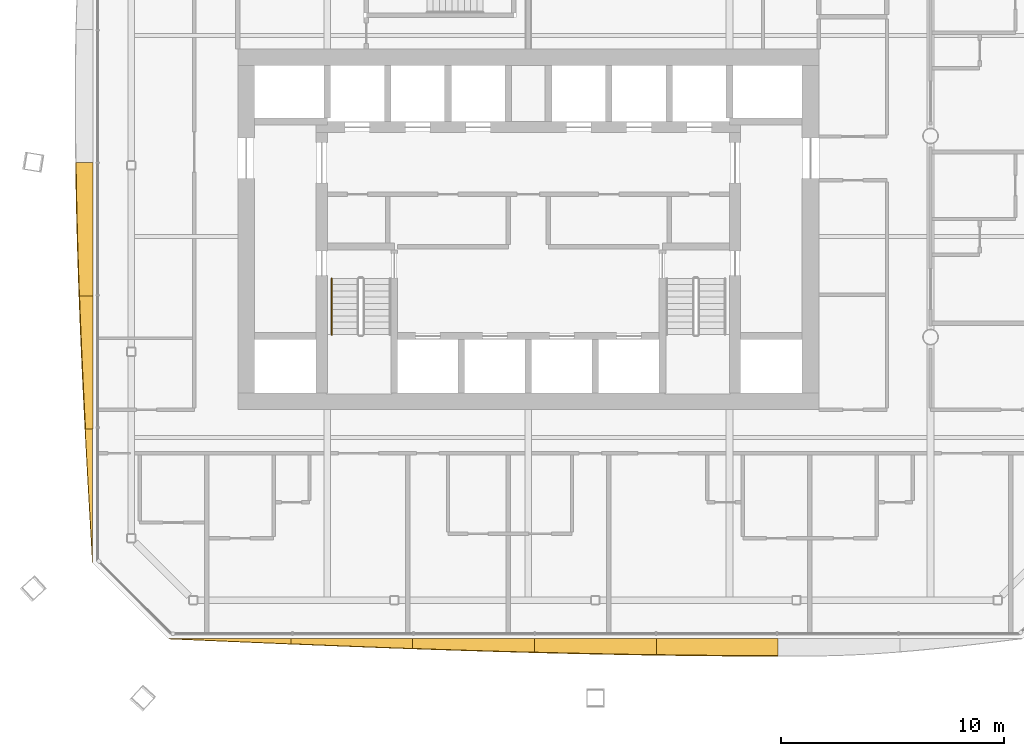
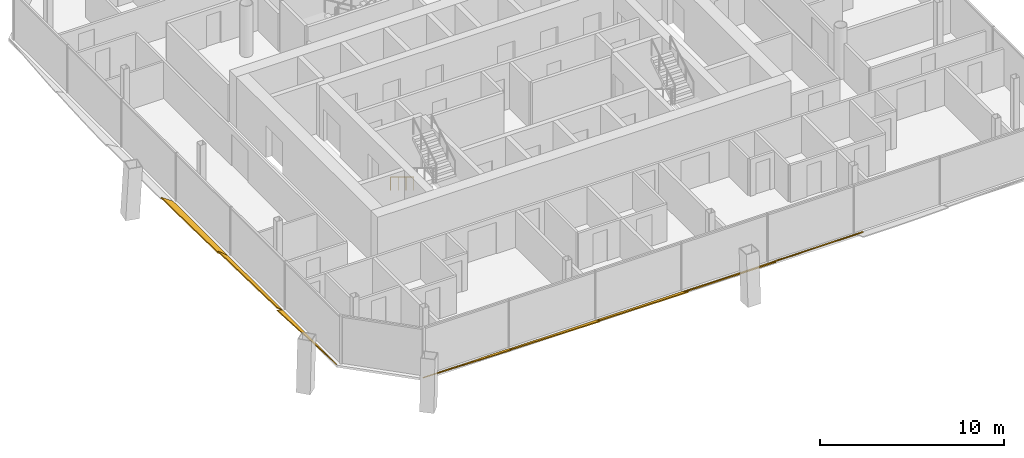
# One storey, part 16 of 18: 8 shading devices, 1 railing.
"""IFC4 building model written with IfcOpenShell, lengths in metres."""

from ifc_helpers import new_model, si_unit, direction, frame, origin, origin_2d, place, context, subcontext, project, spatial, polyline, circle, outline, extrude, material, layer, layer_set, type_object, element, save


model = new_model("IFC4")

# Units and contexts
model_context = context("Model", 3, precision=1e-05, world=origin(), true_north=direction((0.0, 1.0)))
body_context = subcontext(model_context, "Body", "Model", "MODEL_VIEW")
ifc_project = project(units=[si_unit("LENGTHUNIT", "METRE"), si_unit("AREAUNIT", "SQUARE_METRE"), si_unit("VOLUMEUNIT", "CUBIC_METRE"), si_unit("PLANEANGLEUNIT", "RADIAN"), si_unit("MASSUNIT", "GRAM", prefix="KILO")], contexts=[model_context])

# Site, building, storey
site_placement = place(None, origin())
site = spatial("IfcSite", under=ifc_project, at=site_placement, CompositionType="ELEMENT")
building_placement = place(site_placement, origin())
building = spatial("IfcBuilding", under=site, at=building_placement, Name="Tskaro Facet Tower", CompositionType="ELEMENT")
storey_placement = place(building_placement, frame((0.0, 0.0, 145.300048828125)))
storey = spatial("IfcBuildingStorey", under=building, at=storey_placement, Name="L35", CompositionType="ELEMENT", Elevation=145.300048828125)

# Shading devices
ifc_material_1 = material(Name="Bronze anodised aluminium 6063-T6", Category="aluminium")
ifc_layer = layer(ifc_material_1, 0.06005859375, Name="Bronze anodised aluminium 6063-T6")
ifc_layer_set = layer_set([ifc_layer], Name="Bronze anodised aluminium 6063-T6")
shading_device_type = type_object("IfcShadingDeviceType", Name="Bronze sun blade (FN1)", PredefinedType="USERDEFINED", material=ifc_layer_set)
shading_device_1_placement = place(storey_placement, frame((-16.0869140625, -22.50146484375, 0.056396484375), z_axis=(-9.42873e-06, 0.341389080388, 0.939922068952), x_axis=(0.999999999956, 3.218865e-06, 8.862271e-06)))
element("IfcShadingDevice", 1, at=shading_device_1_placement, inside=storey, type_object=shading_device_type, Name="Fin blade south 1", ObjectType="FIN", PredefinedType="USERDEFINED", context=body_context, shape_type="SweptSolid", body=[
    extrude(outline(polyline([(0.0, 0.0), (5.453369140382596, 0.0), (5.453369140867455, -0.24729649206580565), (4.77172851618413, -0.2171770337210285), (4.09008789012302, -0.18674475527141804), (3.4082031242227773, -0.1560830036604322), (2.726562499733379, -0.12519177888807098), (2.0449218738661963, -0.09398773401087644), (1.3632812509485097, -0.06263756291576444), (0.681640625081327, -0.03143351803856992), (0.0, 0.0)])), origin(), (0.0, 0.0, -1.0), 0.06005859375),
])
shading_device_2_placement = place(storey_placement, frame((-10.633544921875, -22.49658203125, 0.054443359375), z_axis=(-1.5297233e-05, 0.422407541223, 0.906406017679), x_axis=(0.999999999883, 6.461667e-06, 1.3865504e-05)))
element("IfcShadingDevice", 2, at=shading_device_2_placement, inside=storey, type_object=shading_device_type, Name="Fin blade south 2", ObjectType="FIN", PredefinedType="USERDEFINED", context=body_context, shape_type="SweptSolid", body=[
    extrude(outline(polyline([(0.0, 0.0), (5.4533691399869415, -4.619183335649245e-21), (5.453369140776432, -0.48943333051084237), (4.771728514510475, -0.46245731580911714), (4.09008788959205, -0.4347143026712038), (3.408447266021159, -0.40620429109710243), (2.7268066406426907, -0.3773698621501844), (2.0449218759867844, -0.3477684347670783), (1.3632812501482712, -0.31784259001115556), (0.681640624079736, -0.2873710373507304), (-2.218821122234412e-09, -0.25635377678580296), (0.0, 0.0)])), origin(), (0.0, 0.0, -1.0), 0.06005859375),
])
shading_device_3_placement = place(storey_placement, frame((-5.18017578125, -22.491943359375, 0.052001953125), z_axis=(7.787894e-06, 0.499880562239, 0.866094350192), x_axis=(0.99999999997, -3.893017e-06, -6.745051e-06)))
element("IfcShadingDevice", 3, at=shading_device_3_placement, inside=storey, type_object=shading_device_type, Name="Fin blade south 3", ObjectType="FIN", PredefinedType="USERDEFINED", context=body_context, shape_type="SweptSolid", body=[
    extrude(outline(polyline([(0.0, 0.0), (5.453369140459623, 0.0), (5.4533691407077445, -0.7092089749860528), (4.7717285143045665, -0.6878910953977868), (4.090087889990281, -0.6655727459029247), (3.4084472651677027, -0.642164518838389), (2.726806640787276, -0.6178778630201512), (2.045166016849, -0.5927127784482114), (1.3632812501306986, -0.566579857459492), (0.6816406254299844, -0.539779956533042), (-4.75319688647714e-10, -0.5122236680057839), (0.0, 0.0)])), origin(), (0.0, 0.0, -1.0), 0.06005859375),
])
shading_device_4_placement = place(storey_placement, frame((0.273193359375, -22.487548828125, 0.049072265625), z_axis=(2.658798e-06, 0.573625937896, 0.819117380701), x_axis=(0.999999999996, -1.525155e-06, -2.177867e-06)))
element("IfcShadingDevice", 4, at=shading_device_4_placement, inside=storey, type_object=shading_device_type, Name="Fin blade south 4", ObjectType="FIN", PredefinedType="USERDEFINED", context=body_context, shape_type="SweptSolid", body=[
    extrude(outline(polyline([(0.0, 0.0), (5.453613281230724, 1.1548475327005958e-21), (5.453613281277855, -0.8899746911439232), (4.771728515754644, -0.8768341714110635), (4.090087890589787, -0.862273616346853), (3.4084472655306395, -0.8464930057805654), (2.7268066405772, -0.8294923397122007), (2.045166015729469, -0.8112716181417586), (1.3635253904557398, -0.7919708864642341), (0.6818847656600713, -0.7716500791139057), (-2.724037432834518e-11, -0.7499092364322267), (0.0, 0.0)])), origin(), (0.0, 0.0, -1.0), 0.06005859375),
])
shading_device_5_placement = place(storey_placement, frame((5.726806640625, -22.4833984375, 0.0458984375), z_axis=(-1.1884488e-05, 0.642770365142, 0.766058912587), x_axis=(0.999999999929, 7.638997e-06, 9.104218e-06)))
element("IfcShadingDevice", 5, at=shading_device_5_placement, inside=storey, type_object=shading_device_type, Name="Fin blade south 5", ObjectType="FIN", PredefinedType="USERDEFINED", context=body_context, shape_type="SweptSolid", body=[
    extrude(outline(polyline([(0.0, 0.0), (5.4533691402398805, -4.619183335649245e-21), (5.453369140835507, -1.0144543858281616), (4.771728514886874, -1.0115157400431838), (4.09008788973007, -1.007358210775265), (3.408203124382393, -1.0016378455639978), (2.7265625000938076, -0.994354644409382), (2.0449218765970523, -0.9858525597718253), (1.3632812494467066, -0.9758177389339509), (0.6816406249531799, -0.9643770085114164), (-9.712269508208357e-10, -0.9515604682472524), (0.0, 0.0)])), origin(), (0.0, 0.0, -1.0), 0.06005859375),
])
shading_device_6_placement = place(storey_placement, frame((-19.487548828125, -1.195556640625, 0.049072265625), z_axis=(0.573577671156, 1.1160757e-05, 0.819151179592), x_axis=(6.401561e-06, -0.999999999938, 9.142347e-06)))
element("IfcShadingDevice", 6, at=shading_device_6_placement, inside=storey, type_object=shading_device_type, Name="Fin blade west 4", ObjectType="FIN", PredefinedType="USERDEFINED", context=body_context, shape_type="SweptSolid", body=[
    extrude(outline(polyline([(0.0, 0.0), (5.963867187128563, 0.0), (5.963867187310276, -0.7367687170190451), (5.218261717216933, -0.7688699505983437), (4.472900389091531, -0.7986711114742485), (3.7272949232469808, -0.8259722115657921), (2.9819335949063364, -0.8506931717316799), (2.2363281250516467, -0.8729740255830432), (1.4909667958266235, -0.8922747633468158), (0.7453613288824538, -0.9090754403262272), (-1.2269481449730886e-09, -0.9229559556878846), (0.0, 0.0)])), origin(), (0.0, 0.0, -1.0), 0.06005859375),
])
shading_device_7_placement = place(storey_placement, frame((-19.4833984375, -7.159423828125, 0.0458984375), z_axis=(0.642798015368, -2.17668e-06, 0.766035711592), x_axis=(-1.399166e-06, -0.999999999998, -1.667415e-06)))
element("IfcShadingDevice", 7, at=shading_device_7_placement, inside=storey, type_object=shading_device_type, Name="Fin blade west 5", ObjectType="FIN", PredefinedType="USERDEFINED", context=body_context, shape_type="SweptSolid", body=[
    extrude(outline(polyline([(0.0, 0.0), (5.963623046860873, 0.0), (5.963623047169884, -0.43619018818752675), (5.2182617185346505, -0.4864245003858596), (4.472900390568463, -0.5351260652884837), (3.7272949218976454, -0.5822647955672196), (2.981933593837686, -0.627496737675445), (2.2363281251385865, -0.67082189161316), (1.4909667967087523, -0.712053236942964), (0.7453613280468617, -0.7512208609930364), (1.268108137771209e-10, -0.7877937897793548), (0.0, 0.0)])), origin(), (0.0, 0.0, -1.0), 0.06005859375),
])
shading_device_8_placement = place(storey_placement, frame((-19.50146484375, -13.123046875, 0.056396484375), z_axis=(0.341621035764, -1.4986884e-05, 0.939837787972), x_axis=(-5.119835e-06, -0.999999999888, -1.408524e-05)))
element("IfcShadingDevice", 8, at=shading_device_8_placement, inside=storey, type_object=shading_device_type, Name="Fin blade west 6", ObjectType="FIN", PredefinedType="USERDEFINED", context=body_context, shape_type="SweptSolid", body=[
    extrude(outline(polyline([(0.0, 0.0), (5.963867186830238, -5.05159200086134e-21), (5.218505859949934, -0.045950936225821894), (4.472900391194696, -0.09167241986666404), (3.7275390618144737, -0.13716445092252644), (2.981933593998097, -0.1823436258202152), (2.2365722664955934, -0.2267510393897709), (1.490966794618238, -0.27047009520438736), (0.7456054677434942, -0.3135634387026566), (-1.3172813940772063e-09, -0.35565556828781303), (0.0, 0.0)])), origin(), (0.0, 0.0, -1.0), 0.06005859375),
])

# Railing
ifc_material_2 = material(Name="Stainless steel", Category="steel")
railing_type = type_object("IfcRailingType", Name="RL-HANDRAIL-900", PredefinedType="HANDRAIL", material=ifc_material_2)
railing_placement = place(storey_placement, frame((-8.800048828125, -6.375, 0.169921875)))
element("IfcRailing", 9, at=railing_placement, inside=storey, type_object=railing_type, Name="L35 ST-1 stair handrail 1", PredefinedType="HANDRAIL", context=body_context, shape_type="SweptSolid", body=[
    extrude(circle(Radius=0.02392578125, at=origin_2d()), frame((0.0, 0.0, 0.8759765625), z_axis=(0.0, -0.85478489116, 0.518982456201), x_axis=(1.0, 0.0, 0.0)), (0.0, 0.0, 1.0), 2.9482421875),
    extrude(circle(Radius=0.02099609375, at=origin_2d()), origin(), (0.0, 0.0, 1.0), 0.851806640625),
    extrude(circle(Radius=0.02099609375, at=origin_2d()), frame((0.0, -0.840087890625, 0.510009765625)), (0.0, 0.0, 1.0), 0.851806640625),
    extrude(circle(Radius=0.02099609375, at=origin_2d()), frame((0.0, -1.679931640625, 1.02001953125)), (0.0, 0.0, 1.0), 0.851806640625),
    extrude(circle(Radius=0.02099609375, at=origin_2d()), frame((0.0, -2.52001953125, 1.530029296875)), (0.0, 0.0, 1.0), 0.851806640625),
])

save(model, "model.ifc")
